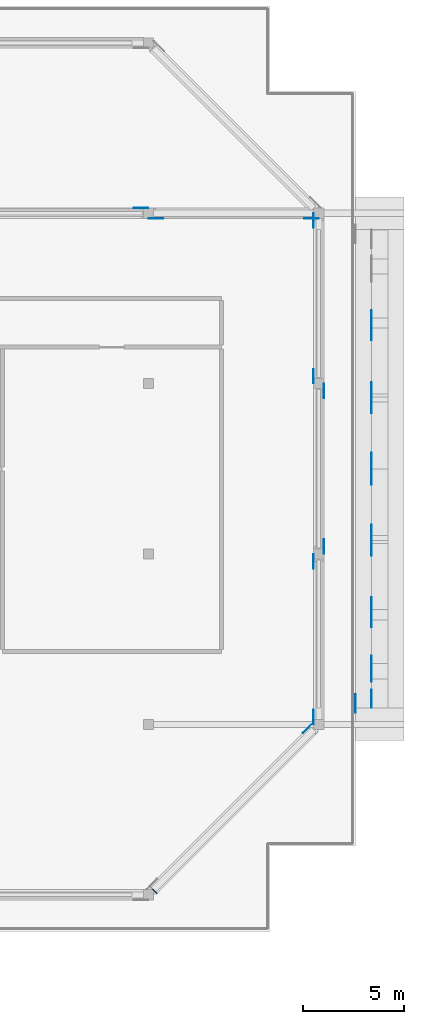
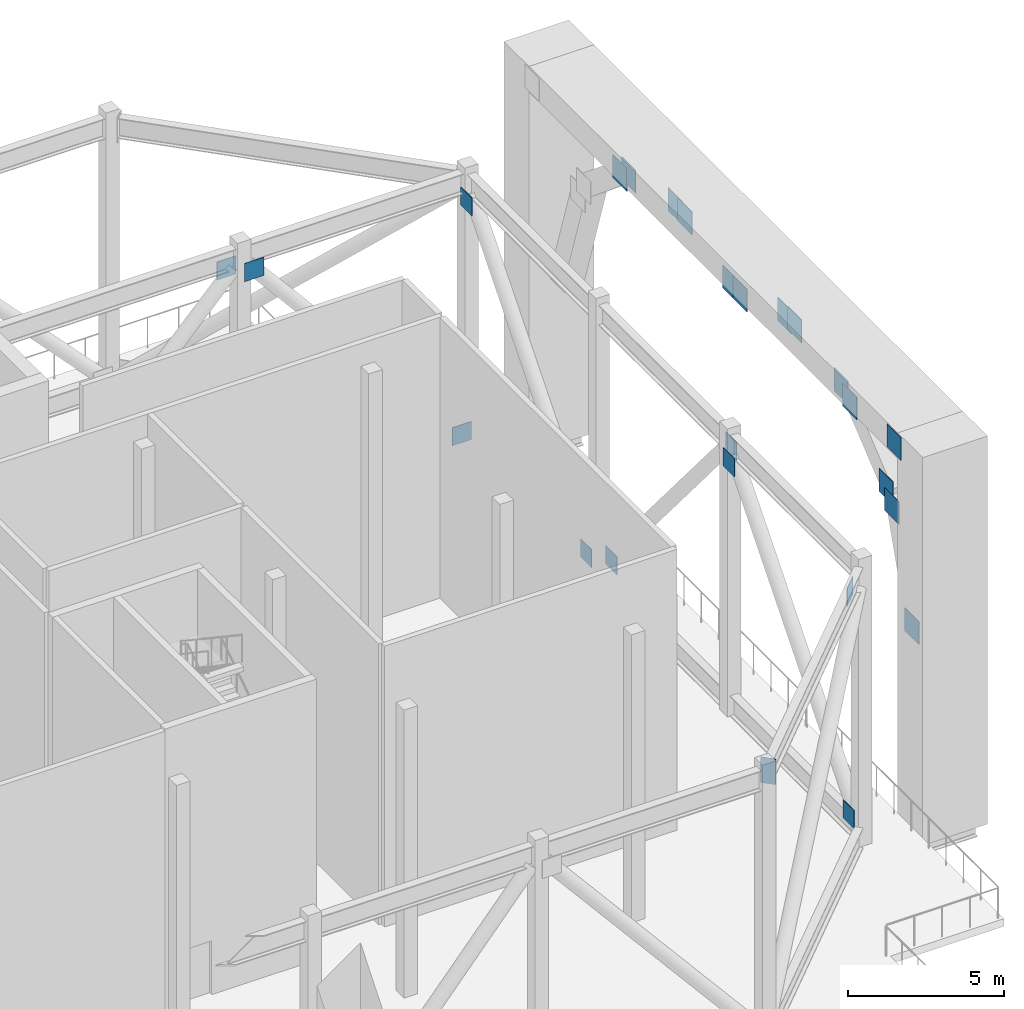
# One storey, part 15 of 20: 25 discrete accessories.
"""IFC4 building model written with IfcOpenShell, lengths in metres."""

from ifc_helpers import new_model, si_unit, direction, frame, origin, origin_2d, place, context, subcontext, project, spatial, rectangle, extrude, element, save


model = new_model("IFC4")

# Units and contexts
model_context = context("Model", 3, precision=1e-05, world=origin(), true_north=direction((0.0, 1.0)))
body_context = subcontext(model_context, "Body", "Model", "MODEL_VIEW")
ifc_project = project(units=[si_unit("LENGTHUNIT", "METRE"), si_unit("AREAUNIT", "SQUARE_METRE"), si_unit("VOLUMEUNIT", "CUBIC_METRE"), si_unit("PLANEANGLEUNIT", "RADIAN"), si_unit("MASSUNIT", "GRAM", prefix="KILO")], contexts=[model_context])

# Site, building, storey
site_placement = place(None, origin())
site = spatial("IfcSite", under=ifc_project, at=site_placement, CompositionType="ELEMENT")
building_placement = place(site_placement, origin())
building = spatial("IfcBuilding", under=site, at=building_placement, Name="Saffron Gate Tower", CompositionType="ELEMENT")
storey_placement = place(building_placement, frame((0.0, 0.0, 252.300048828125)))
storey = spatial("IfcBuildingStorey", under=building, at=storey_placement, Name="L62", CompositionType="ELEMENT", Elevation=252.300048828125)

# Discrete accessories
for number, where, z_axis, x_axis, name in (
    (1, (125.14599609375, 40.564697265625, 0.580322265625), (0.0, 0.0, 1.0), (0.0, 1.0, 0.0), "GUSSET PLATE"),
    (2, (125.14599609375, 48.2353515625, 9.678466796875), (0.0, 0.0, 1.0), (0.0, 1.0, 0.0), "GUSSET PLATE"),
    (3, (125.654052734375, 56.635498046875, 0.580322265625), (0.0, 0.0, 1.0), (0.0, -1.0, 0.0), "GUSSET PLATE"),
    (4, (125.654052734375, 48.964599609375, 9.678466796875), (0.0, 0.0, 1.0), (0.0, -1.0, 0.0), "GUSSET PLATE"),
    (5, (125.14599609375, 57.364501953125, 0.580322265625), (0.0, 0.0, 1.0), (0.0, 1.0, 0.0), "GUSSET PLATE"),
    (6, (125.14599609375, 65.035400390625, 9.678466796875), (0.0, 0.0, 1.0), (0.0, 1.0, 0.0), "GUSSET PLATE"),
    (7, (124.8740234375, 40.033203125, 9.7001953125), (0.0, 0.0, 1.0), (0.707106781187, 0.707106781187, 0.0), "GUSSET PLATE"),
    (8, (125.035400390625, 65.14599609375, 0.580322265625), (0.0, 0.0, 1.0), (-1.0, 0.0, 0.0), "GUSSET PLATE"),
    (9, (117.364501953125, 65.14599609375, 9.678466796875), (0.0, 0.0, 1.0), (-1.0, 0.0, 0.0), "GUSSET PLATE"),
    (10, (116.6279296875, 65.654052734375, 9.685302734375), (0.0, 0.0, 1.0), (1.0, 0.0, 0.0), "GUSSET PLATE"),
):
    element("IfcDiscreteAccessory", number, at=place(storey_placement, frame(where, z_axis=z_axis, x_axis=x_axis)), inside=storey, Name=name, ObjectType="GUSSET PLATE", PredefinedType="USERDEFINED", context=body_context, shape_type="SweptSolid", body=[
        extrude(rectangle(XDim=0.7109375, YDim=0.02001953125, at=origin_2d()), origin(), (0.0, 0.0, 1.0), 0.7109375),
    ])
for number, where, z_axis, x_axis, name in (
    (11, (128.0, 41.47021484375, 6.28125), (0.0, 0.0, 1.0), (0.0, 1.0, 0.0), "EMBEDDED PLATE"),
    (12, (128.0, 42.755126953125, 10.19677734375), (0.0, 0.0, 1.0), (0.0, 1.0, 0.0), "EMBEDDED PLATE"),
    (13, (128.0, 43.124267578125, 10.737548828125), (0.0, 0.0, 1.0), (0.0, 1.0, 0.0), "EMBEDDED PLATE"),
    (14, (128.0, 45.440673828125, 12.648681640625), (0.0, 0.0, 1.0), (0.0, 1.0, 0.0), "EMBEDDED PLATE"),
    (15, (128.0, 46.01123046875, 12.919677734375), (0.0, 0.0, 1.0), (0.0, 1.0, 0.0), "EMBEDDED PLATE"),
    (16, (128.0, 48.97119140625, 13.50927734375), (0.0, 0.0, 1.0), (0.0, 1.0, 0.0), "EMBEDDED PLATE"),
    (17, (128.0, 49.602294921875, 13.4775390625), (0.0, 0.0, 1.0), (0.0, 1.0, 0.0), "EMBEDDED PLATE"),
    (18, (128.0, 52.468017578125, 12.6015625), (0.0, 0.0, 1.0), (0.0, 1.0, 0.0), "EMBEDDED PLATE"),
    (19, (128.0, 53.132080078125, 12.6015625), (0.0, 0.0, 1.0), (0.0, 1.0, 0.0), "EMBEDDED PLATE"),
    (20, (128.0, 55.997802734375, 13.4775390625), (0.0, 0.0, 1.0), (0.0, 1.0, 0.0), "EMBEDDED PLATE"),
    (21, (128.0, 56.628662109375, 13.50927734375), (0.0, 0.0, 1.0), (0.0, 1.0, 0.0), "EMBEDDED PLATE"),
    (22, (128.0, 59.588623046875, 12.919677734375), (0.0, 0.0, 1.0), (0.0, 1.0, 0.0), "EMBEDDED PLATE"),
    (23, (128.0, 60.1591796875, 12.648681640625), (0.0, 0.0, 1.0), (0.0, 1.0, 0.0), "EMBEDDED PLATE"),
    (24, (127.199951171875, 41.22509765625, 13.89990234375), (0.0, 0.0, 1.0), (0.0, 1.0, 0.0), "EMBEDDED PLATE"),
):
    element("IfcDiscreteAccessory", number, at=place(storey_placement, frame(where, z_axis=z_axis, x_axis=x_axis)), inside=storey, Name=name, ObjectType="EMBEDDED PLATE", PredefinedType="USERDEFINED", context=body_context, shape_type="SweptSolid", body=[
        extrude(rectangle(XDim=0.89990234375, YDim=0.02001953125, at=origin_2d()), origin(), (0.0, 0.0, 1.0), 0.89990234375),
    ])
discrete_accessory_placement = place(storey_placement, frame((117.242919921875, 32.04296875, 10.070068359375), z_axis=(0.0, 0.0, 1.0), x_axis=(-0.707106781187, -0.707106781187, 0.0)))
element("IfcDiscreteAccessory", 25, at=discrete_accessory_placement, inside=storey, Name="BELT TRUSS END PLATE", ObjectType="BELT TRUSS END PLATE", PredefinedType="USERDEFINED", context=body_context, shape_type="SweptSolid", body=[
    extrude(rectangle(XDim=0.02001953125, YDim=0.5, at=origin_2d()), origin(), (0.0, 0.0, 1.0), 1.0),
])

save(model, "model.ifc")
